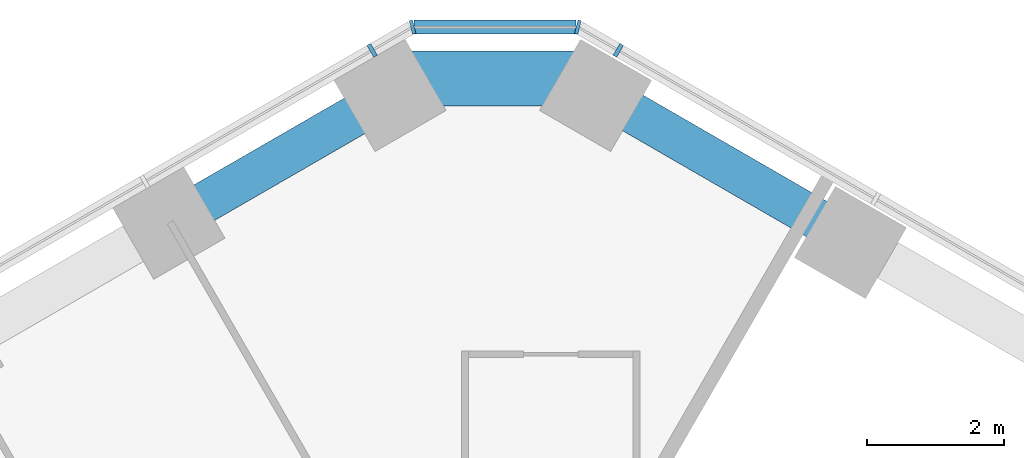
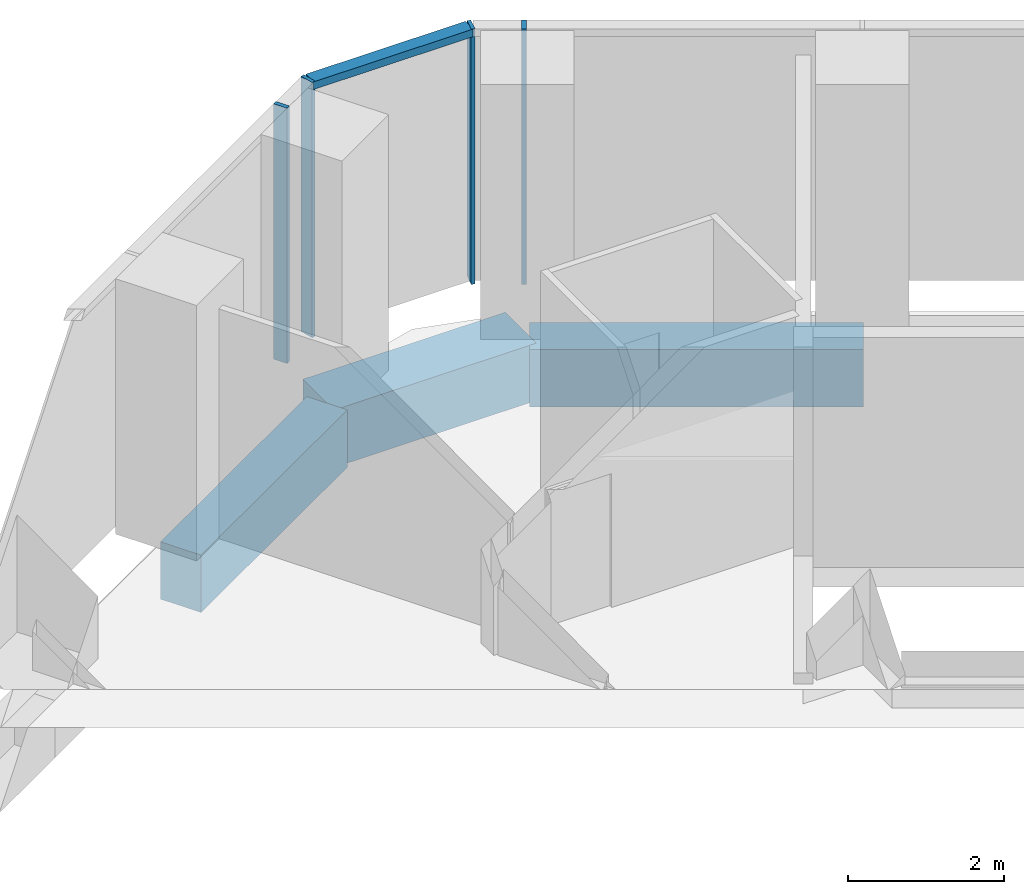
# One storey, part 9 of 27: 5 members, 3 beams, 3 elements without a shape of their own.
"""IFC4 building model written with IfcOpenShell, lengths in metres."""

from ifc_helpers import new_model, si_unit, direction, frame, origin, origin_2d, place, context, subcontext, project, spatial, rectangle, extrude, material, layer, layer_set, material_profile, profile_set, type_object, element, aggregate, save


model = new_model("IFC4")

# Units and contexts
model_context = context("Model", 3, precision=1e-05, world=origin(), true_north=direction((0.0, 1.0)))
body_context = subcontext(model_context, "Body", "Model", "MODEL_VIEW")
ifc_project = project(units=[si_unit("LENGTHUNIT", "METRE"), si_unit("AREAUNIT", "SQUARE_METRE"), si_unit("VOLUMEUNIT", "CUBIC_METRE"), si_unit("PLANEANGLEUNIT", "RADIAN"), si_unit("MASSUNIT", "GRAM", prefix="KILO")], contexts=[model_context])

# Site, building, storey
site_placement = place(None, origin())
site = spatial("IfcSite", under=ifc_project, at=site_placement, CompositionType="ELEMENT")
building_placement = place(site_placement, origin())
building = spatial("IfcBuilding", under=site, at=building_placement, Name="Ayvan Gate Tower", CompositionType="ELEMENT")
storey_placement = place(building_placement, frame((0.0, 0.0, 70.300048828125)))
storey = spatial("IfcBuildingStorey", under=building, at=storey_placement, Name="L18", CompositionType="ELEMENT", Elevation=70.300048828125)

# Beams
ifc_material_1 = material(Name="Concrete C40/50", Category="concrete")
ifc_material_profile_1 = material_profile(ifc_material_1, rectangle(XDim=0.800048828125, YDim=0.89990234375, at=origin_2d()), Name="RC 800x900")
ifc_profile_set_1 = profile_set([ifc_material_profile_1], Name="Concrete C40/50")
beam_type_1 = type_object("IfcBeamType", Name="Corner spandrel beam RC 800x900 C40/50", PredefinedType="BEAM", material=ifc_profile_set_1)
beam_1_placement = place(storey_placement, frame((0.73291015625, 22.9111328125, -0.85009765625), z_axis=(-1.0, 0.0, 0.0), x_axis=(0.0, -1.0, 0.0)))
element("IfcBeam", 1, at=beam_1_placement, inside=storey, type_object=beam_type_1, Name="SB-L18-12", PredefinedType="BEAM", context=body_context, shape_type="SweptSolid", body=[
    extrude(rectangle(XDim=0.800048828125, YDim=0.89990234375, at=origin_2d()), origin(), (0.0, 0.0, 1.0), 3.0),
])
ifc_material_profile_2 = material_profile(ifc_material_1, rectangle(XDim=0.60009765625, YDim=0.89990234375, at=origin_2d()), Name="RC 600x900")
ifc_profile_set_2 = profile_set([ifc_material_profile_2], Name="Concrete C40/50")
beam_type_2 = type_object("IfcBeamType", Name="Spandrel beam RC 600x900 C40/50", PredefinedType="BEAM", material=ifc_profile_set_2)
beam_2_placement = place(storey_placement, frame((4.443115234375, 20.548828125, -0.85009765625), z_axis=(-0.866000531106, 0.500043078269, 0.0), x_axis=(-0.500043078269, -0.866000531106, 0.0)))
element("IfcBeam", 2, at=beam_2_placement, inside=storey, type_object=beam_type_2, Name="SB-L18-11", PredefinedType="BEAM", context=body_context, shape_type="SweptSolid", body=[
    extrude(rectangle(XDim=0.60009765625, YDim=0.89990234375, at=origin_2d()), origin(), (0.0, 0.0, 1.0), 4.2841796875),
])
beam_3_placement = place(storey_placement, frame((-2.26708984375, 22.691162109375, -0.85009765625), z_axis=(-0.86603284386, -0.49998711319, 0.0), x_axis=(0.49998711319, -0.86603284386, 0.0)))
element("IfcBeam", 3, at=beam_3_placement, inside=storey, type_object=beam_type_2, Name="SB-L18-13", PredefinedType="BEAM", context=body_context, shape_type="SweptSolid", body=[
    extrude(rectangle(XDim=0.60009765625, YDim=0.89990234375, at=origin_2d()), origin(), (0.0, 0.0, 1.0), 3.7529296875),
])

# Curtain wall, member
ifc_material_2 = material(Name="Bronze anodised aluminium", Category="aluminium")
ifc_layer_1 = layer(ifc_material_2, 0.199951171875)
ifc_layer_set_1 = layer_set([ifc_layer_1], Name="Bronze anodised aluminium")
curtain_wall_type_1 = type_object("IfcCurtainWallType", Name="Stick curtain wall CW-1", PredefinedType="NOTDEFINED", material=ifc_layer_set_1)
curtain_wall_1_placement = place(storey_placement, origin())
curtain_wall_1 = element("IfcCurtainWall", 4, at=curtain_wall_1_placement, inside=storey, type_object=curtain_wall_type_1, Name="Stick curtain wall CW-1 L18", PredefinedType="NOTDEFINED")
ifc_material_profile_3 = material_profile(ifc_material_2, rectangle(XDim=0.199951171875, YDim=0.06005859375, at=origin_2d()), Name="Stick curtain wall CW-1 mullion 200 x 60")
ifc_profile_set_3 = profile_set([ifc_material_profile_3], Name="Bronze anodised aluminium")
member_type_1 = type_object("IfcMemberType", Name="Stick curtain wall CW-1 mullion 200 x 60", PredefinedType="MULLION", material=ifc_profile_set_3)
member_1_placement = place(storey_placement, frame((1.01416015625, 23.31982421875, 0.0), z_axis=(0.0, 0.0, 1.0), x_axis=(0.5, 0.866025403784, 0.0)))
member_1 = element("IfcMember", 5, at=member_1_placement, type_object=member_type_1, Name="CW-1 mullion 6", PredefinedType="MULLION", context=body_context, shape_type="SweptSolid", body=[
    extrude(rectangle(XDim=0.199951171875, YDim=0.06005859375, at=origin_2d()), origin(), (0.0, 0.0, 1.0), 4.0),
])
aggregate(curtain_wall_1, [member_1])

curtain_wall_2_placement = place(storey_placement, origin())
curtain_wall_2 = element("IfcCurtainWall", 6, at=curtain_wall_2_placement, inside=storey, type_object=curtain_wall_type_1, Name="Stick curtain wall CW-1 L18", PredefinedType="NOTDEFINED")
member_2_placement = place(storey_placement, frame((-2.578125, 23.31982421875, 0.0), z_axis=(0.0, 0.0, 1.0), x_axis=(-0.5, 0.866025403784, 0.0)))
member_2 = element("IfcMember", 7, at=member_2_placement, type_object=member_type_1, Name="CW-1 mullion 1", PredefinedType="MULLION", context=body_context, shape_type="SweptSolid", body=[
    extrude(rectangle(XDim=0.199951171875, YDim=0.06005859375, at=origin_2d()), origin(), (0.0, 0.0, 1.0), 4.0),
])
aggregate(curtain_wall_2, [member_2])

# Curtain wall, members
ifc_layer_2 = layer(ifc_material_2, 0.199951171875)
ifc_layer_set_2 = layer_set([ifc_layer_2], Name="Bronze anodised aluminium")
curtain_wall_type_2 = type_object("IfcCurtainWallType", Name="Stick curtain wall CW-6", PredefinedType="NOTDEFINED", material=ifc_layer_set_2)
curtain_wall_3_placement = place(storey_placement, origin())
curtain_wall_3 = element("IfcCurtainWall", 8, at=curtain_wall_3_placement, inside=storey, type_object=curtain_wall_type_2, Name="Stick curtain wall CW-6 L18", PredefinedType="NOTDEFINED")
ifc_material_profile_4 = material_profile(ifc_material_2, rectangle(XDim=0.199951171875, YDim=0.050048828125, at=origin_2d()), Name="Stick curtain wall CW-6 mullion 200 x 50")
ifc_profile_set_4 = profile_set([ifc_material_profile_4], Name="Bronze anodised aluminium")
member_type_2 = type_object("IfcMemberType", Name="Stick curtain wall CW-6 mullion 200 x 50", PredefinedType="MULLION", material=ifc_profile_set_4)
member_3_placement = place(storey_placement, frame((0.42529296875, 23.659912109375, 0.0), z_axis=(0.0, 0.0, 1.0), x_axis=(0.258819045103, 0.965925826289, 0.0)))
member_3 = element("IfcMember", 9, at=member_3_placement, type_object=member_type_2, Name="CW-6 mullion 2", PredefinedType="MULLION", context=body_context, shape_type="SweptSolid", body=[
    extrude(rectangle(XDim=0.199951171875, YDim=0.050048828125, at=origin_2d()), origin(), (0.0, 0.0, 1.0), 4.0),
])
member_4_placement = place(storey_placement, frame((-1.9892578125, 23.659912109375, 0.0), z_axis=(0.0, 0.0, 1.0), x_axis=(-0.258819045103, 0.965925826289, 0.0)))
member_4 = element("IfcMember", 10, at=member_4_placement, type_object=member_type_2, Name="CW-6 mullion 3", PredefinedType="MULLION", context=body_context, shape_type="SweptSolid", body=[
    extrude(rectangle(XDim=0.199951171875, YDim=0.050048828125, at=origin_2d()), origin(), (0.0, 0.0, 1.0), 4.0),
])
ifc_material_profile_5 = material_profile(ifc_material_2, rectangle(XDim=0.199951171875, YDim=0.1201171875, at=origin_2d()), Name="Stick curtain wall CW-6 transom 200 x 120")
ifc_profile_set_5 = profile_set([ifc_material_profile_5], Name="Bronze anodised aluminium")
member_type_3 = type_object("IfcMemberType", Name="Stick curtain wall CW-6 transom 200 x 120", PredefinedType="USERDEFINED", material=ifc_profile_set_5)
member_5_placement = place(storey_placement, frame((0.400390625, 23.659912109375, 3.93994140625), z_axis=(-1.0, 0.0, 0.0), x_axis=(0.0, -1.0, 0.0)))
member_5 = element("IfcMember", 11, at=member_5_placement, type_object=member_type_3, Name="CW-6 transom 2", ObjectType="TRANSOM", PredefinedType="USERDEFINED", context=body_context, shape_type="SweptSolid", body=[
    extrude(rectangle(XDim=0.199951171875, YDim=0.1201171875, at=origin_2d()), origin(), (0.0, 0.0, 1.0), 2.36474609375),
])
aggregate(curtain_wall_3, [member_3, member_4, member_5])

save(model, "model.ifc")
